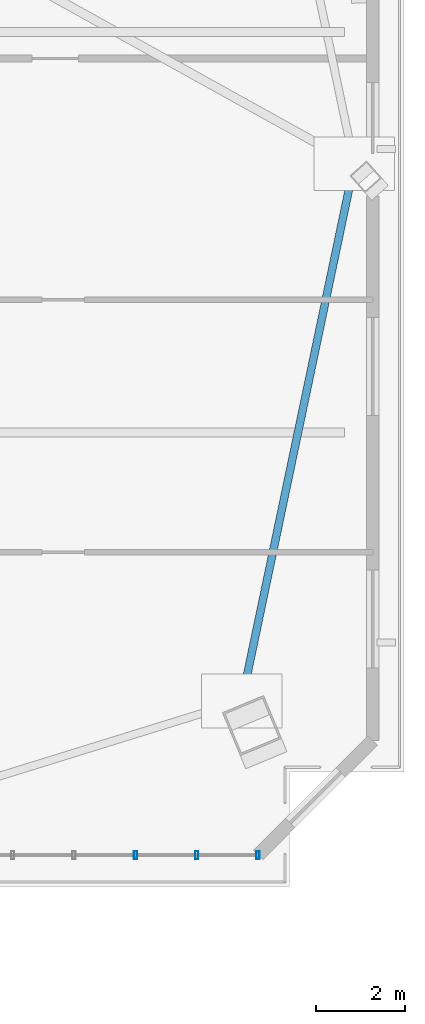
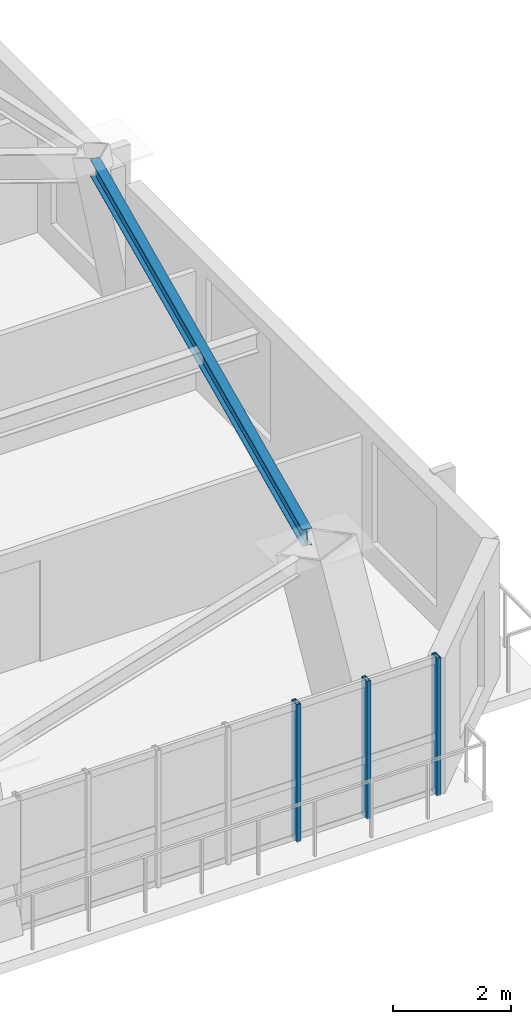
# One storey, part 6 of 18: 3 members, 1 beam, 1 element without a shape of its own.
"""IFC4 building model written with IfcOpenShell, lengths in metres."""

from ifc_helpers import new_model, si_unit, direction, frame, origin, origin_2d, place, context, subcontext, project, spatial, hollow_rectangle, i_section, extrude, source, transform, mapped, material, layer, layer_set, material_profile, profile_set, type_object, element, aggregate, save


model = new_model("IFC4")

# Units and contexts
model_context = context("Model", 3, precision=1e-05, world=origin(), true_north=direction((0.0, 1.0)))
body_context = subcontext(model_context, "Body", "Model", "MODEL_VIEW")
ifc_project = project(units=[si_unit("LENGTHUNIT", "METRE"), si_unit("AREAUNIT", "SQUARE_METRE"), si_unit("VOLUMEUNIT", "CUBIC_METRE"), si_unit("PLANEANGLEUNIT", "RADIAN"), si_unit("MASSUNIT", "GRAM", prefix="KILO")], contexts=[model_context])

# Site, building, storey
site_placement = place(None, origin())
site = spatial("IfcSite", under=ifc_project, at=site_placement, CompositionType="ELEMENT")
building_placement = place(site_placement, origin())
building = spatial("IfcBuilding", under=site, at=building_placement, Name="Giltprow Tower", CompositionType="ELEMENT")
storey_placement = place(building_placement, frame((0.0, 0.0, 265.5)))
storey = spatial("IfcBuildingStorey", under=building, at=storey_placement, Name="L68", CompositionType="ELEMENT", Elevation=265.5)

# Beam
ifc_material_1 = material(Name="Structural steel Q355B", Category="steel")
ifc_material_profile_1 = material_profile(ifc_material_1, i_section(OverallWidth=0.175048828125, OverallDepth=0.35009765625, WebThickness=0.007080078125, FlangeThickness=0.010986328125, at=origin_2d()), Name="HN 350x175x7x11")
ifc_profile_set_1 = profile_set([ifc_material_profile_1], Name="Structural steel Q355B")
beam_type = type_object("IfcBeamType", Name="BM-SPAN-HN350", PredefinedType="SPANDREL", material=ifc_profile_set_1)
shared_shape_1 = source(origin(), body_context, "Body", "SweptSolid", [
    extrude(i_section(OverallWidth=0.175048828125, OverallDepth=0.35009765625, WebThickness=0.007080078125, FlangeThickness=0.010986328125, at=origin_2d()), origin(), (0.0, 0.0, 1.0), 11.580322265625),
])
beam_placement = place(storey_placement, frame((58.782958984375, 19.97412109375, 3.010009765625), z_axis=(0.205173152284, 0.978725690672, 0.0), x_axis=(-0.978725690672, 0.205173152284, 0.0)))
element("IfcBeam", 1, at=beam_placement, inside=storey, type_object=beam_type, Name="L68 Perimeter Spandrel Beam MC_SE-E_MID", PredefinedType="SPANDREL", context=body_context, shape_type="MappedRepresentation", body=[
    mapped(shared_shape_1, transform((0.0, 0.0, 0.0), x_axis=(1.0, 0.0, 0.0), y_axis=(0.0, 1.0, 0.0), z_axis=(0.0, 0.0, 1.0), scale=1.0)),
])

# Curtain wall, members
ifc_material_2 = material(Name="Anodized bronze", Category="metal")
ifc_layer = layer(ifc_material_2, 0.179931640625, Name="Anodized bronze")
ifc_layer_set = layer_set([ifc_layer], Name="Anodized bronze")
curtain_wall_type = type_object("IfcCurtainWallType", Name="CW-RES-SKY", PredefinedType="NOTDEFINED", material=ifc_layer_set)
curtain_wall_placement = place(storey_placement, origin())
curtain_wall = element("IfcCurtainWall", 2, at=curtain_wall_placement, inside=storey, type_object=curtain_wall_type, Name="L68 South Recessed Curtain Wall 6", PredefinedType="NOTDEFINED")
ifc_material_profile_2 = material_profile(ifc_material_2, hollow_rectangle(XDim=0.074951171875, YDim=0.179931640625, WallThickness=0.008056640625, at=origin_2d()), Name="RHS 180x75x8")
ifc_profile_set_2 = profile_set([ifc_material_profile_2], Name="Anodized bronze")
member_type = type_object("IfcMemberType", Name="CW-MULLION-180x75", PredefinedType="MULLION", material=ifc_profile_set_2)
shared_shape_2 = source(origin(), body_context, "Body", "SweptSolid", [
    extrude(hollow_rectangle(XDim=0.074951171875, YDim=0.179931640625, WallThickness=0.008056640625, at=origin_2d()), origin(), (0.0, 0.0, 1.0), 2.8701171875),
])
member_1_placement = place(storey_placement, frame((56.302001953125, 16.044921875, -0.02001953125), z_axis=(0.0, 0.0, 1.0), x_axis=(1.0, 0.0, 0.0)))
member_1 = element("IfcMember", 3, at=member_1_placement, type_object=member_type, Name="L68 South Recessed Curtain Wall 6 Mullion 5", PredefinedType="MULLION", context=body_context, shape_type="MappedRepresentation", body=[
    mapped(shared_shape_2, transform((0.0, 0.0, 0.0), x_axis=(1.0, 0.0, 0.0), y_axis=(0.0, 1.0, 0.0), z_axis=(0.0, 0.0, 1.0), scale=1.0)),
])
member_2_placement = place(storey_placement, frame((57.677001953125, 16.044921875, -0.02001953125), z_axis=(0.0, 0.0, 1.0), x_axis=(1.0, 0.0, 0.0)))
member_2 = element("IfcMember", 4, at=member_2_placement, type_object=member_type, Name="L68 South Recessed Curtain Wall 6 Mullion 6", PredefinedType="MULLION", context=body_context, shape_type="MappedRepresentation", body=[
    mapped(shared_shape_2, transform((0.0, 0.0, 0.0), x_axis=(1.0, 0.0, 0.0), y_axis=(0.0, 1.0, 0.0), z_axis=(0.0, 0.0, 1.0), scale=1.0)),
])
member_3_placement = place(storey_placement, frame((59.052978515625, 16.044921875, -0.02001953125), z_axis=(0.0, 0.0, 1.0), x_axis=(1.0, 0.0, 0.0)))
member_3 = element("IfcMember", 5, at=member_3_placement, type_object=member_type, Name="L68 South Recessed Curtain Wall 6 Mullion 7", PredefinedType="MULLION", context=body_context, shape_type="MappedRepresentation", body=[
    mapped(shared_shape_2, transform((0.0, 0.0, 0.0), x_axis=(1.0, 0.0, 0.0), y_axis=(0.0, 1.0, 0.0), z_axis=(0.0, 0.0, 1.0), scale=1.0)),
])
aggregate(curtain_wall, [member_1, member_2, member_3])

save(model, "model.ifc")
